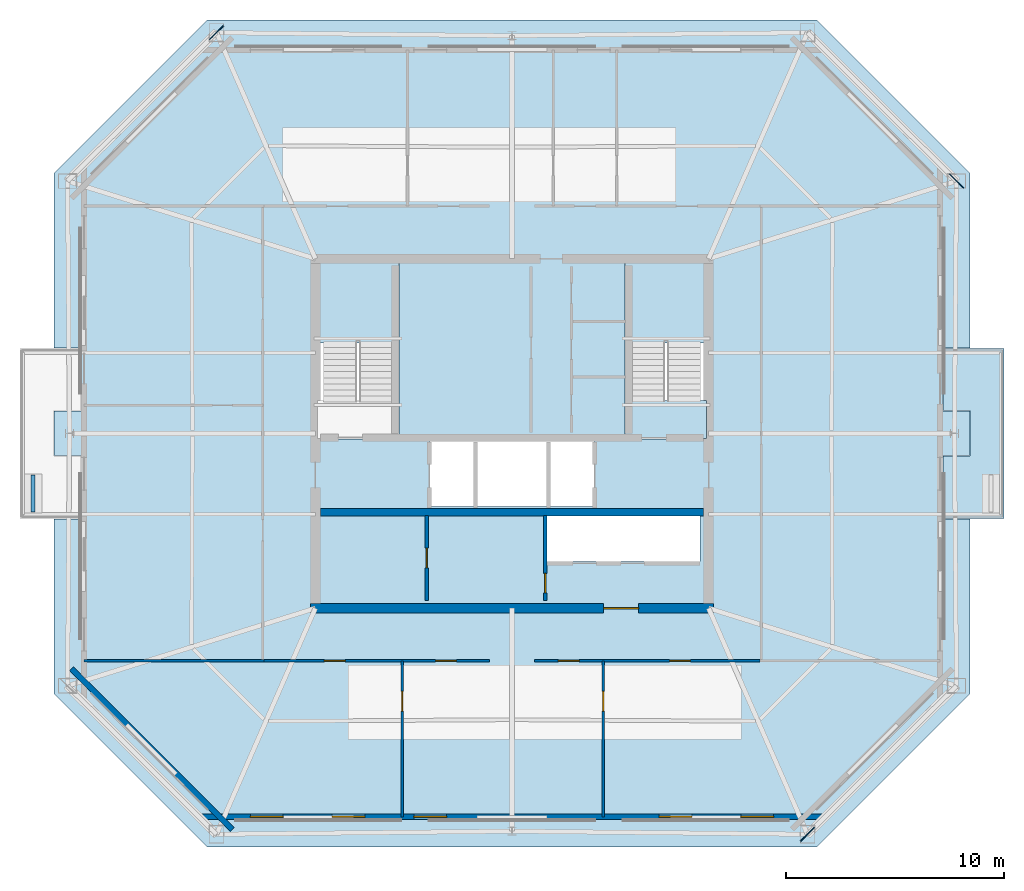
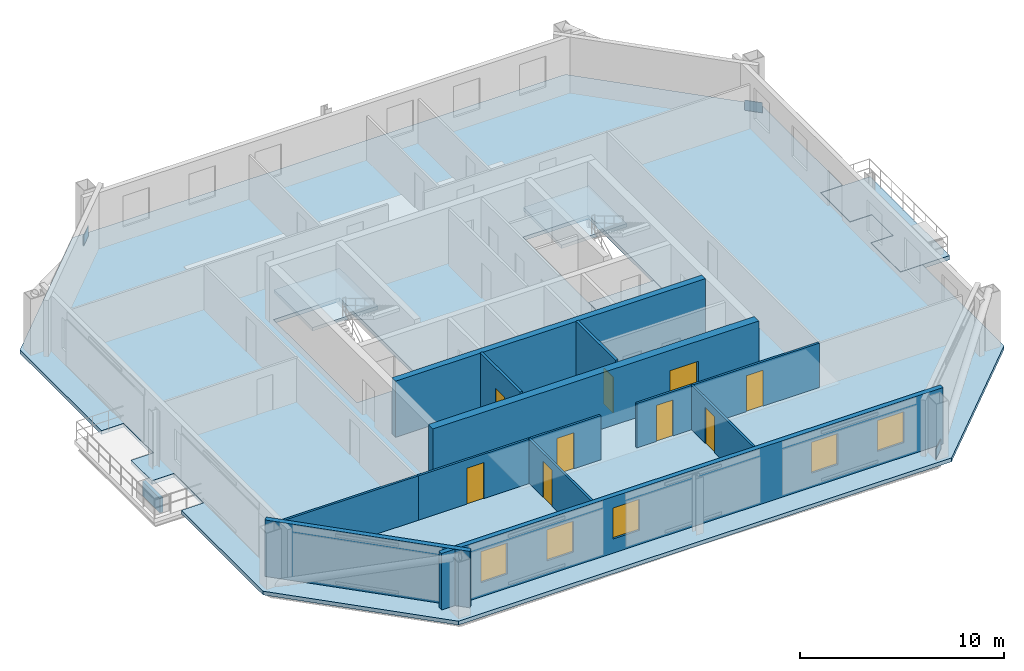
# One storey, part 2 of 7: 12 walls, 9 doors, 5 slabs, 5 windows, 3 plates, 14 openings, 2 elements without a shape of their own.
"""IFC4 building model written with IfcOpenShell, lengths in metres."""

import ifcopenshell
import ifcopenshell.guid

model = None  # the IFC model being written
_history = None  # IfcOwnerHistory: only IFC2X3 demands one
_inside = {}  # id of a spatial element -> (the spatial element, [elements in it])
_under = {}  # id of a project, library or spatial element -> (it, [spatial elements below it])
_declared = {}  # id of a project -> (the project, [libraries it declares])
_typed = {}  # id of a type object -> (the type object, [elements of that type])
_made_of = {}  # id of a material, layer set ... -> (it, [elements and type objects made of it])


def new_model(schema):
    """Start an empty IFC model of exactly this schema.

    Asked for "IFC4X3", IfcOpenShell would pick the latest addendum, in which some entities
    have other attributes; the version numbers below select the first issue.
    IFC2X3 requires an IfcOwnerHistory on every rooted entity: one is made here for all.
    """
    global model, _history
    if schema == "IFC4X3":
        model = ifcopenshell.file(schema_version=(4, 3, 0, 0))
    else:
        model = ifcopenshell.file(schema=schema)
    _inside.clear()
    _under.clear()
    _declared.clear()
    _typed.clear()
    _made_of.clear()
    _history = None
    if model.schema == "IFC2X3":
        org = make("IfcOrganization", Name="unknown")
        user = make(
            "IfcPersonAndOrganization",
            ThePerson=make("IfcPerson", FamilyName="unknown"),
            TheOrganization=org,
        )
        app = make(
            "IfcApplication",
            ApplicationDeveloper=org,
            Version="unknown",
            ApplicationFullName="unknown",
            ApplicationIdentifier="unknown",
        )
        _history = make(
            "IfcOwnerHistory",
            OwningUser=user,
            OwningApplication=app,
            ChangeAction="ADDED",
            CreationDate=0,
        )
    return model


def make(cls, **values):
    """One entity of the class cls with the attributes given. An attribute that is None is left unset."""
    return model.create_entity(
        cls, **{name: value for name, value in values.items() if value is not None}
    )


def rooted(cls, **values):
    """An entity with a GlobalId (a new one), such as an element, a storey or a relation."""
    return make(cls, GlobalId=ifcopenshell.guid.new(), OwnerHistory=_history, **values)


def si_unit(unit_type, name, prefix=None):
    """IfcSIUnit, for example si_unit("LENGTHUNIT", "METRE", prefix="MILLI")."""
    return make("IfcSIUnit", UnitType=unit_type, Prefix=prefix, Name=name)


def assignment(units):
    """IfcUnitAssignment: the units of a project."""
    return None if units is None else make("IfcUnitAssignment", Units=units)


def point(xyz):
    """IfcCartesianPoint."""
    return None if xyz is None else make("IfcCartesianPoint", Coordinates=xyz)


def direction(xyz):
    """IfcDirection."""
    return None if xyz is None else make("IfcDirection", DirectionRatios=xyz)


def frame(location, z_axis=None, x_axis=None):
    """IfcAxis2Placement3D, a coordinate frame: its origin and axes. An axis left out is left unset."""
    return make(
        "IfcAxis2Placement3D",
        Location=point(location),
        Axis=direction(z_axis),
        RefDirection=direction(x_axis),
    )


def frame_2d(location, x_axis=None):
    """IfcAxis2Placement2D, a coordinate frame in the plane: its origin and x axis."""
    return make(
        "IfcAxis2Placement2D", Location=point(location), RefDirection=direction(x_axis)
    )


def origin():
    """The frame at (0, 0, 0) with its axes left unset."""
    return frame((0.0, 0.0, 0.0))


def origin_2d():
    """The frame at (0, 0) in the plane with its x axis left unset."""
    return frame_2d((0.0, 0.0))


def place(relative_to, where):
    """IfcLocalPlacement: puts the frame where relative to a parent placement (None: the world)."""
    return make(
        "IfcLocalPlacement", PlacementRelTo=relative_to, RelativePlacement=where
    )


def context(
    kind, dimensions, precision=None, world=None, true_north=None, identifier=None
):
    """IfcGeometricRepresentationContext, for example the 3D "Model" context."""
    return make(
        "IfcGeometricRepresentationContext",
        ContextIdentifier=identifier,
        ContextType=kind,
        CoordinateSpaceDimension=dimensions,
        Precision=precision,
        WorldCoordinateSystem=world,
        TrueNorth=true_north,
    )


def subcontext(parent, identifier, kind, view, scale=None):
    """IfcGeometricRepresentationSubContext, for example "Body" below "Model"."""
    return make(
        "IfcGeometricRepresentationSubContext",
        ContextIdentifier=identifier,
        ContextType=kind,
        ParentContext=parent,
        TargetScale=scale,
        TargetView=view,
    )


def project(units=None, contexts=None):
    """IfcProject with its units and contexts."""
    return rooted(
        "IfcProject",
        Name="project",
        RepresentationContexts=contexts,
        UnitsInContext=assignment(units),
    )


def spatial(cls, under=None, at=None, **own):
    """A site, building, storey or space (cls), placed at a placement, below another one or the project."""
    s = rooted(cls, ObjectPlacement=at, **own)
    if under is not None:
        _under.setdefault(under.id(), (under, []))[1].append(s)
    return s


def polyline(points):
    """IfcPolyline through the points."""
    return make("IfcPolyline", Points=[point(p) for p in points])


def profile(cls, at=None, kind="AREA", **sizes):
    """A parametric profile (cls). Its sizes go by their IFC names, for example OverallWidth=200.0."""
    return make(cls, ProfileType=kind, Position=at, **sizes)


def rectangle(**sizes):
    """IfcRectangleProfileDef."""
    return profile("IfcRectangleProfileDef", **sizes)


def outline(outer, holes=None, kind="AREA"):
    """IfcArbitraryClosedProfileDef: a profile drawn as a closed curve; with holes, ...WithVoids."""
    if holes is None:
        return make("IfcArbitraryClosedProfileDef", ProfileType=kind, OuterCurve=outer)
    return make(
        "IfcArbitraryProfileDefWithVoids",
        ProfileType=kind,
        OuterCurve=outer,
        InnerCurves=holes,
    )


def extrude(swept, where, along, depth):
    """IfcExtrudedAreaSolid: the profile swept, set in the frame where, extruded along a direction by depth."""
    return make(
        "IfcExtrudedAreaSolid",
        SweptArea=swept,
        Position=where,
        ExtrudedDirection=direction(along),
        Depth=depth,
    )


def shape(context_of_items, identifier, shape_type, items):
    """IfcShapeRepresentation: the items that make up one representation, for example the "Body"."""
    return make(
        "IfcShapeRepresentation",
        ContextOfItems=context_of_items,
        RepresentationIdentifier=identifier,
        RepresentationType=shape_type,
        Items=items,
    )


def material(Name=None, Category=None):
    """IfcMaterial."""
    return make("IfcMaterial", Name=Name, Category=Category)


def layer(
    of_material, thickness, ventilated=None, Name=None, Category=None, Priority=None
):
    """IfcMaterialLayer: one layer of a wall or slab, of a material (None: an air gap)."""
    return make(
        "IfcMaterialLayer",
        Material=of_material,
        LayerThickness=thickness,
        IsVentilated=ventilated,
        Name=Name,
        Category=Category,
        Priority=Priority,
    )


def layer_set(layers, Name=None):
    """IfcMaterialLayerSet."""
    return make("IfcMaterialLayerSet", MaterialLayers=layers, LayerSetName=Name)


def made_of(thing, what):
    """Note that an element or type object is made of a material, layer set ...; save() writes the relation."""
    if what is not None:
        _made_of.setdefault(what.id(), (what, []))[1].append(thing)
    return thing


def type_object(cls, material=None, **own):
    """A type object (cls), such as IfcWallType, which elements share."""
    return made_of(rooted(cls, **own), material)


def element(
    cls,
    number,
    at=None,
    inside=None,
    cuts=None,
    type_object=None,
    material=None,
    context=None,
    identifier="Body",
    shape_type=None,
    held_by="IfcProductDefinitionShape",
    body=None,
    shapes=None,
    **own,
):
    """One element of the class cls, such as IfcWall. Its Tag is "e" and its number.

    at: its placement. inside: the storey or other place that contains it. cuts: it is an
    opening in that element (IfcRelVoidsElement). A single representation is given by context,
    identifier, shape_type and body (its items); several are given by shapes. held_by: the class
    of the entity that holds the representations. save() writes the other relations.
    """
    e = rooted(cls, Tag="e%d" % number, ObjectPlacement=at, **own)
    if body is not None:
        shapes = [shape(context, identifier, shape_type, body)]
    if shapes is not None:
        e.Representation = make(held_by, Representations=shapes)
    if inside is not None:
        _inside.setdefault(inside.id(), (inside, []))[1].append(e)
    if cuts is not None:
        rooted(
            "IfcRelVoidsElement", RelatingBuildingElement=cuts, RelatedOpeningElement=e
        )
    if type_object is not None:
        _typed.setdefault(type_object.id(), (type_object, []))[1].append(e)
    return made_of(e, material)


def fill(opening, filler):
    """IfcRelFillsElement: the door or window that sits in an opening."""
    return rooted(
        "IfcRelFillsElement",
        RelatingOpeningElement=opening,
        RelatedBuildingElement=filler,
    )


def aggregate(whole, parts):
    """IfcRelAggregates: a whole, such as a stair, and the parts it consists of."""
    return rooted("IfcRelAggregates", RelatingObject=whole, RelatedObjects=parts)


def save(model, path):
    """Write the relations noted so far, then the file.

    IfcRelAggregates (storeys below a building ...), IfcRelContainedInSpatialStructure (elements
    in a storey), IfcRelDefinesByType, IfcRelAssociatesMaterial and IfcRelDeclares: one each for
    every whole, place, type object, material and project.
    """
    for whole, parts in _under.values():
        aggregate(whole, parts)
    for where, things in _inside.values():
        rooted(
            "IfcRelContainedInSpatialStructure",
            RelatedElements=things,
            RelatingStructure=where,
        )
    for kind, things in _typed.values():
        rooted("IfcRelDefinesByType", RelatedObjects=things, RelatingType=kind)
    for what, things in _made_of.values():
        rooted("IfcRelAssociatesMaterial", RelatedObjects=things, RelatingMaterial=what)
    for by, libraries in _declared.values():
        rooted("IfcRelDeclares", RelatingContext=by, RelatedDefinitions=libraries)
    model.write(path)


model = new_model("IFC4")

# Units and contexts
model_context = context("Model", 3, precision=1e-05, world=origin(), true_north=direction((0.0, 1.0)))
body_context = subcontext(model_context, "Body", "Model", "MODEL_VIEW")
ifc_project = project(units=[si_unit("LENGTHUNIT", "METRE"), si_unit("AREAUNIT", "SQUARE_METRE"), si_unit("VOLUMEUNIT", "CUBIC_METRE"), si_unit("PLANEANGLEUNIT", "RADIAN"), si_unit("MASSUNIT", "GRAM", prefix="KILO")], contexts=[model_context])

# Site, building, storey
site_placement = place(None, origin())
site = spatial("IfcSite", under=ifc_project, at=site_placement, CompositionType="ELEMENT")
building_placement = place(site_placement, origin())
building = spatial("IfcBuilding", under=site, at=building_placement, Name="Caelvoria Tower", CompositionType="ELEMENT")
storey_placement = place(building_placement, frame((0.0, 0.0, 220.199951171875)))
storey = spatial("IfcBuildingStorey", under=building, at=storey_placement, Name="L58", CompositionType="ELEMENT", Elevation=220.199951171875)

# Plates
ifc_material_1 = material(Name="Structural Steel ASTM A572 Gr.50", Category="steel")
ifc_layer_1 = layer(ifc_material_1, 0.0400390625, Name="Structural Steel ASTM A572 Gr.50")
ifc_layer_set_1 = layer_set([ifc_layer_1], Name="Megaframe Node Gusset Plate 900x600x40 - Structural Steel ASTM A572 Gr.50")
plate_type = type_object("IfcPlateType", Name="Megaframe Node Gusset Plate 900x600x40", PredefinedType="USERDEFINED", material=ifc_layer_set_1)
for number, where, z_axis, x_axis, name in (
    (1, (59.527099609375, 13.652099609375, 0.02001953125), (0.0, 0.0, 1.0), (0.708414984386, 0.705796153218, 0.0), "Chamfer Mega Brace Gusset L58 SE"),
    (2, (66.3466796875, 43.5537109375, 0.02001953125), (0.0, 0.0, 1.0), (-0.708414984386, 0.705796153218, 0.0), "Chamfer Mega Brace Gusset L58 NE"),
    (3, (32.472900390625, 50.347900390625, 0.02001953125), (0.0, 0.0, 1.0), (-0.708414984386, -0.705796153218, 0.0), "Chamfer Mega Brace Gusset L58 NW"),
):
    element("IfcPlate", number, at=place(storey_placement, frame(where, z_axis=z_axis, x_axis=x_axis)), inside=storey, type_object=plate_type, Name=name, ObjectType="GUSSET_PLATE", PredefinedType="USERDEFINED", context=body_context, shape_type="SweptSolid", body=[
        extrude(rectangle(XDim=0.89990234375, YDim=0.0400390625, at=origin_2d()), origin(), (0.0, 0.0, 1.0), 0.60009765625),
    ])

# Stair, slab
ifc_material_2 = material(Name="Concrete C40/50", Category="concrete")
stair_type = type_object("IfcStairType", Name="Core Smokeproof Dogleg Stair Concrete C40/50", PredefinedType="HALF_TURN_STAIR", material=ifc_material_2)
stair_1_placement = place(storey_placement, origin())
stair_1 = element("IfcStair", 4, at=stair_1_placement, inside=storey, type_object=stair_type, Name="ST-01 Smokeproof Exit Stair L58", PredefinedType="HALF_TURN_STAIR")
ifc_layer_2 = layer(ifc_material_2, 0.199951171875, Name="Concrete C40/50")
ifc_layer_set_2 = layer_set([ifc_layer_2], Name="Stair Half and Floor Landing Slab 200 Concrete C40/50 - Concrete C40/50")
slab_type_1 = type_object("IfcSlabType", Name="Stair Half and Floor Landing Slab 200 Concrete C40/50", PredefinedType="LANDING", material=ifc_layer_set_2)
slab_1_placement = place(storey_placement, frame((0.0, 0.0, 1.60009765625)))
slab_1 = element("IfcSlab", 5, at=slab_1_placement, type_object=slab_type_1, Name="ST-01 landing 2", PredefinedType="LANDING", context=body_context, shape_type="SweptSolid", body=[
    extrude(outline(polyline([(37.10009765625, 36.14990234375), (40.800048828125, 36.14990234375), (40.800048828125, 39.89990234375), (37.10009765625, 39.89990234375), (37.10009765625, 36.14990234375)])), origin(), (0.0, 0.0, 1.0), 0.199951171875),
])
aggregate(stair_1, [slab_1])

# Stair, slabs
stair_2_placement = place(storey_placement, origin())
stair_2 = element("IfcStair", 6, at=stair_2_placement, inside=storey, type_object=stair_type, Name="ST-02 Smokeproof Exit Stair L58", PredefinedType="HALF_TURN_STAIR")
slab_2_placement = place(storey_placement, frame((0.0, 0.0, -0.199951171875)))
slab_2 = element("IfcSlab", 7, at=slab_2_placement, type_object=slab_type_1, Name="ST-02 landing 1", PredefinedType="LANDING", context=body_context, shape_type="SweptSolid", body=[
    extrude(outline(polyline([(51.199951171875, 31.77001953125), (54.89990234375, 31.77001953125), (54.89990234375, 33.5), (51.199951171875, 33.5), (51.199951171875, 31.77001953125)])), origin(), (0.0, 0.0, 1.0), 0.199951171875),
])
slab_3_placement = place(storey_placement, frame((0.0, 0.0, 1.60009765625)))
slab_3 = element("IfcSlab", 8, at=slab_3_placement, type_object=slab_type_1, Name="ST-02 landing 2", PredefinedType="LANDING", context=body_context, shape_type="SweptSolid", body=[
    extrude(outline(polyline([(51.199951171875, 36.14990234375), (54.89990234375, 36.14990234375), (54.89990234375, 39.89990234375), (51.199951171875, 39.89990234375), (51.199951171875, 36.14990234375)])), origin(), (0.0, 0.0, 1.0), 0.199951171875),
])
aggregate(stair_2, [slab_2, slab_3])

# Slabs
ifc_material_3 = material(Name="Concrete C45/55", Category="concrete")
ifc_layer_3 = layer(ifc_material_3, 0.25, Name="Concrete C45/55")
ifc_layer_set_3 = layer_set([ifc_layer_3], Name="Tree Balcony Structural Planter Slab 250 - Concrete C45/55")
slab_type_2 = type_object("IfcSlabType", Name="Tree Balcony Structural Planter Slab 250", PredefinedType="FLOOR", material=ifc_layer_set_3)
slab_4_placement = place(storey_placement, frame((0.0, 0.0, -0.25)))
element("IfcSlab", 9, at=slab_4_placement, inside=storey, type_object=slab_type_2, Name="Tree Balcony Slab TB-L58-E", PredefinedType="FLOOR", context=body_context, shape_type="SweptSolid", body=[
    extrude(outline(polyline([(66.97265625, 35.89990234375), (65.732666015625, 35.89990234375), (65.732666015625, 33.0400390625), (66.97265625, 33.0400390625), (66.97265625, 30.9599609375), (65.732666015625, 30.9599609375), (65.732666015625, 28.10009765625), (66.97265625, 28.10009765625), (68.522705078125, 28.10009765625), (68.522705078125, 35.89990234375), (66.97265625, 35.89990234375)])), origin(), (0.0, 0.0, 1.0), 0.25),
])
ifc_layer_4 = layer(ifc_material_2, 0.22509765625, Name="Concrete C40/50")
ifc_layer_set_4 = layer_set([ifc_layer_4], Name="Upper Tower Composite Office Slab 225 - Concrete C40/50")
slab_type_3 = type_object("IfcSlabType", Name="Upper Tower Composite Office Slab 225", PredefinedType="FLOOR", material=ifc_layer_set_4)
slab_5_placement = place(storey_placement, frame((0.0, 0.0, -0.224853515625)))
element("IfcSlab", 10, at=slab_5_placement, inside=storey, type_object=slab_type_3, Name="Level L58 Structural Floor Slab", PredefinedType="FLOOR", context=body_context, shape_type="SweptSolid", body=[
    extrude(outline(polyline([(59.95458984375, 50.92724609375), (32.04541015625, 50.92724609375), (25.02734375, 43.9091796875), (25.02734375, 35.919921875), (26.287353515625, 35.919921875), (26.287353515625, 33.02001953125), (25.02734375, 33.02001953125), (25.02734375, 30.97998046875), (26.287353515625, 30.97998046875), (26.287353515625, 28.080078125), (25.02734375, 28.080078125), (25.02734375, 20.0908203125), (32.04541015625, 13.07275390625), (59.95458984375, 13.07275390625), (66.97265625, 20.0908203125), (66.97265625, 28.080078125), (65.712646484375, 28.080078125), (65.712646484375, 30.97998046875), (66.97265625, 30.97998046875), (66.97265625, 33.02001953125), (65.712646484375, 33.02001953125), (65.712646484375, 35.919921875), (66.97265625, 35.919921875), (66.97265625, 43.9091796875), (59.95458984375, 50.92724609375)]), holes=[polyline([(37.080078125, 31.75), (40.820068359375, 31.75), (40.820068359375, 39.919921875), (37.080078125, 39.919921875), (37.080078125, 31.75)]), polyline([(51.179931640625, 31.75), (54.919921875, 31.75), (54.919921875, 39.919921875), (51.179931640625, 39.919921875), (51.179931640625, 31.75)]), polyline([(42.25, 28.64990234375), (49.75, 28.64990234375), (49.75, 31.800048828125), (42.25, 31.800048828125), (42.25, 28.64990234375)]), polyline([(47.60009765625, 26.14990234375), (54.60009765625, 26.14990234375), (54.60009765625, 28.25), (47.60009765625, 28.25), (47.60009765625, 26.14990234375)])]), origin(), (0.0, 0.0, 1.0), 0.224853515625),
])

# Walls
ifc_material_4 = material(Name="Bronze-Clad Concrete C40/50", Category="concrete")
ifc_layer_5 = layer(ifc_material_4, 0.179931640625, Name="Bronze-Clad Concrete C40/50")
ifc_layer_set_5 = layer_set([ifc_layer_5], Name="Architectural Planter Kerb Wall 180 - Bronze-Clad Concrete C40/50")
wall_type_1 = type_object("IfcWallType", Name="Architectural Planter Kerb Wall 180", PredefinedType="PARAPET", material=ifc_layer_set_5)
wall_1_placement = place(storey_placement, frame((24.077392578125, 28.39990234375, 0.0), z_axis=(0.0, 0.0, 1.0), x_axis=(0.0, 1.0, 0.0)))
element("IfcWall", 11, at=wall_1_placement, inside=storey, type_object=wall_type_1, Name="Tree Balcony Planter Kerb PLANTER TB-L58-W", PredefinedType="PARAPET", context=body_context, shape_type="SweptSolid", body=[
    extrude(rectangle(XDim=1.7001953125, YDim=0.179931640625, at=frame_2d((0.85009765625, 0.0))), origin(), (0.0, 0.0, 1.0), 0.880126953125),
])
ifc_material_5 = material(Name="Concrete C50/60", Category="concrete")
ifc_layer_6 = layer(ifc_material_5, 0.35009765625, Name="Concrete C50/60")
ifc_layer_set_6 = layer_set([ifc_layer_6], Name="Core Internal Shear Wall 350 - Concrete C50/60")
wall_type_2 = type_object("IfcWallType", Name="Core Internal Shear Wall 350", PredefinedType="SHEAR", material=ifc_layer_set_6)
wall_2_placement = place(storey_placement, frame((37.22509765625, 28.39990234375, 0.0), z_axis=(0.0, 0.0, 1.0), x_axis=(1.0, 0.0, 0.0)))
element("IfcWall", 12, at=wall_2_placement, inside=storey, type_object=wall_type_2, Name="Core Shear Wall L58 M2", PredefinedType="SHEAR", context=body_context, shape_type="SweptSolid", body=[
    extrude(rectangle(XDim=17.5498046875, YDim=0.35009765625, at=frame_2d((8.77490234375, 0.0))), origin(), (0.0, 0.0, 1.0), 3.360107421875),
])

# Wall, opening, door
ifc_material_6 = material(Name="Double Gypsum Board on Steel Stud", Category="steel")
ifc_layer_7 = layer(ifc_material_6, 0.14990234375, Name="Double Gypsum Board on Steel Stud")
ifc_layer_set_7 = layer_set([ifc_layer_7], Name="Core Service Acoustic Partition Wall 150 - Double Gypsum Board on Steel Stud")
wall_type_3 = type_object("IfcWallType", Name="Core Service Acoustic Partition Wall 150", PredefinedType="PARTITIONING", material=ifc_layer_set_7)
wall_3_placement = place(storey_placement, frame((42.10009765625, 24.35009765625, 0.0), z_axis=(0.0, 0.0, 1.0), x_axis=(0.0, 1.0, 0.0)))
wall_3 = element("IfcWall", 13, at=wall_3_placement, inside=storey, type_object=wall_type_3, Name="Interior Partition IW-L58-RECL-MID", PredefinedType="PARTITIONING", context=body_context, shape_type="SweptSolid", body=[
    extrude(rectangle(XDim=3.89990234375, YDim=0.14990234375, at=frame_2d((1.949951171875, 0.0))), origin(), (0.0, 0.0, 1.0), 3.375),
])
opening_1_placement = place(wall_3_placement, frame((1.5, 0.0, 0.0)))
opening_1 = element("IfcOpeningElement", 14, at=opening_1_placement, cuts=wall_3, Name="Opening ID-06", PredefinedType="OPENING", context=body_context, shape_type="SweptSolid", body=[
    extrude(rectangle(XDim=0.89990234375, YDim=2.14990234375, at=frame_2d((0.449951171875, 1.074951171875))), frame((0.0, 0.0849609375, 0.0), z_axis=(0.0, -1.0, 0.0), x_axis=(1.0, 0.0, 0.0)), (0.0, 0.0, 1.0), 0.169921875),
])
ifc_material_7 = material(Name="Engineered Andean Oak Veneer Door", Category="wood")
door_type_1 = type_object("IfcDoorType", Name="Interior Timber Door 900x2150", OperationType="NOTDEFINED", PredefinedType="DOOR", material=ifc_material_7)
door_1_placement = place(opening_1_placement, origin())
door_1 = element("IfcDoor", 15, at=door_1_placement, inside=storey, type_object=door_type_1, Name="Interior Door DR-L58-RECL12", OperationType="SINGLE_SWING_LEFT", OverallHeight=2.14990234375, OverallWidth=0.89990234375, PredefinedType="DOOR", context=body_context, shape_type="SweptSolid", body=[
    extrude(rectangle(XDim=0.89990234375, YDim=2.14990234375, at=frame_2d((0.449951171875, 1.074951171875))), frame((0.0, 0.02490234375, 0.0), z_axis=(0.0, -1.0, 0.0), x_axis=(1.0, 0.0, 0.0)), (0.0, 0.0, 1.0), 0.050048828125),
])
fill(opening_1, door_1)

wall_4_placement = place(storey_placement, frame((47.52001953125, 24.35009765625, 0.0), z_axis=(0.0, 0.0, 1.0), x_axis=(0.0, 1.0, 0.0)))
wall_4 = element("IfcWall", 16, at=wall_4_placement, inside=storey, type_object=wall_type_3, Name="Interior Partition IW-L58-RECL2E", PredefinedType="PARTITIONING", context=body_context, shape_type="SweptSolid", body=[
    extrude(rectangle(XDim=3.89990234375, YDim=0.14990234375, at=frame_2d((1.949951171875, 0.0))), origin(), (0.0, 0.0, 1.0), 3.375),
])
opening_2_placement = place(wall_4_placement, frame((0.35009765625, 0.0, 0.0)))
opening_2 = element("IfcOpeningElement", 17, at=opening_2_placement, cuts=wall_4, Name="Opening ID-04", PredefinedType="OPENING", context=body_context, shape_type="SweptSolid", body=[
    extrude(rectangle(XDim=0.89990234375, YDim=2.14990234375, at=frame_2d((0.449951171875, 1.074951171875))), frame((0.0, 0.0849609375, 0.0), z_axis=(0.0, -1.0, 0.0), x_axis=(1.0, 0.0, 0.0)), (0.0, 0.0, 1.0), 0.169921875),
])
ifc_material_8 = material(Name="Acoustic Timber Fire Door", Category="wood")
door_type_2 = type_object("IfcDoorType", Name="Fire Door FD30S 900x2150", OperationType="NOTDEFINED", PredefinedType="DOOR", material=ifc_material_8)
door_2_placement = place(opening_2_placement, origin())
door_2 = element("IfcDoor", 18, at=door_2_placement, inside=storey, type_object=door_type_2, Name="Interior Door DR-L58-RECL2", OperationType="SINGLE_SWING_RIGHT", OverallHeight=2.14990234375, OverallWidth=0.89990234375, PredefinedType="DOOR", context=body_context, shape_type="SweptSolid", body=[
    extrude(rectangle(XDim=0.89990234375, YDim=2.14990234375, at=frame_2d((0.449951171875, 1.074951171875))), frame((0.0, 0.02490234375, 0.0), z_axis=(0.0, -1.0, 0.0), x_axis=(1.0, 0.0, 0.0)), (0.0, 0.0, 1.0), 0.050048828125),
])
fill(opening_2, door_2)

ifc_material_9 = material(Name="Acoustic Gypsum Board on Light-Gauge Stud", Category="gypsum")
ifc_layer_8 = layer(ifc_material_9, 0.1201171875, Name="Acoustic Gypsum Board on Light-Gauge Stud")
ifc_layer_set_8 = layer_set([ifc_layer_8], Name="Tenant Suite Acoustic Partition Wall 120 - Acoustic Gypsum Board on Light-Gauge Stud")
wall_type_4 = type_object("IfcWallType", Name="Tenant Suite Acoustic Partition Wall 120", PredefinedType="PARTITIONING", material=ifc_layer_set_8)
wall_5_placement = place(storey_placement, frame((40.98388671875, 21.590087890625, 0.0), z_axis=(0.0, 0.0, 1.0), x_axis=(0.0, -1.0, 0.0)))
wall_5 = element("IfcWall", 19, at=wall_5_placement, inside=storey, type_object=wall_type_4, Name="Interior Partition IW-L58-SD-00-0", PredefinedType="PARTITIONING", context=body_context, shape_type="SweptSolid", body=[
    extrude(rectangle(XDim=7.137451171875, YDim=0.1201171875, at=frame_2d((3.56884765625, 0.0))), origin(), (0.0, 0.0, 1.0), 2.655029296875),
])
opening_3_placement = place(wall_5_placement, frame((1.39990234375, 0.0, 0.0)))
opening_3 = element("IfcOpeningElement", 20, at=opening_3_placement, cuts=wall_5, Name="Opening ID-06", PredefinedType="OPENING", context=body_context, shape_type="SweptSolid", body=[
    extrude(rectangle(XDim=0.89990234375, YDim=2.14990234375, at=frame_2d((0.449951171875, 1.074951171875))), frame((0.0, 0.070068359375, 0.0), z_axis=(0.0, -1.0, 0.0), x_axis=(1.0, 0.0, 0.0)), (0.0, 0.0, 1.0), 0.14013671875),
])
door_3_placement = place(opening_3_placement, origin())
door_3 = element("IfcDoor", 21, at=door_3_placement, inside=storey, type_object=door_type_1, Name="Interior Door DR-L58-SM-00-0", OperationType="SINGLE_SWING_RIGHT", OverallHeight=2.14990234375, OverallWidth=0.89990234375, PredefinedType="DOOR", context=body_context, shape_type="SweptSolid", body=[
    extrude(rectangle(XDim=0.89990234375, YDim=2.14990234375, at=frame_2d((0.449951171875, 1.074951171875))), frame((0.0, 0.02490234375, 0.0), z_axis=(0.0, -1.0, 0.0), x_axis=(1.0, 0.0, 0.0)), (0.0, 0.0, 1.0), 0.050048828125),
])
fill(opening_3, door_3)

wall_6_placement = place(storey_placement, frame((50.177490234375, 21.590087890625, 0.0), z_axis=(0.0, 0.0, 1.0), x_axis=(0.0, -1.0, 0.0)))
wall_6 = element("IfcWall", 22, at=wall_6_placement, inside=storey, type_object=wall_type_4, Name="Interior Partition IW-L58-SD-01-0", PredefinedType="PARTITIONING", context=body_context, shape_type="SweptSolid", body=[
    extrude(rectangle(XDim=7.137451171875, YDim=0.1201171875, at=frame_2d((3.56884765625, 0.0))), origin(), (0.0, 0.0, 1.0), 2.655029296875),
])
opening_4_placement = place(wall_6_placement, frame((1.39990234375, 0.0, 0.0)))
opening_4 = element("IfcOpeningElement", 23, at=opening_4_placement, cuts=wall_6, Name="Opening ID-06", PredefinedType="OPENING", context=body_context, shape_type="SweptSolid", body=[
    extrude(rectangle(XDim=0.89990234375, YDim=2.14990234375, at=frame_2d((0.449951171875, 1.074951171875))), frame((0.0, 0.070068359375, 0.0), z_axis=(0.0, -1.0, 0.0), x_axis=(1.0, 0.0, 0.0)), (0.0, 0.0, 1.0), 0.14013671875),
])
door_4_placement = place(opening_4_placement, origin())
door_4 = element("IfcDoor", 24, at=door_4_placement, inside=storey, type_object=door_type_1, Name="Interior Door DR-L58-SM-01-0", OperationType="SINGLE_SWING_LEFT", OverallHeight=2.14990234375, OverallWidth=0.89990234375, PredefinedType="DOOR", context=body_context, shape_type="SweptSolid", body=[
    extrude(rectangle(XDim=0.89990234375, YDim=2.14990234375, at=frame_2d((0.449951171875, 1.074951171875))), frame((0.0, 0.02490234375, 0.0), z_axis=(0.0, -1.0, 0.0), x_axis=(1.0, 0.0, 0.0)), (0.0, 0.0, 1.0), 0.050048828125),
])
fill(opening_4, door_4)

# Wall, openings, doors
wall_7_placement = place(storey_placement, frame((34.64990234375, 21.590087890625, 0.0), z_axis=(0.0, 0.0, 1.0), x_axis=(1.0, 0.0, 0.0)))
wall_7 = element("IfcWall", 25, at=wall_7_placement, inside=storey, type_object=wall_type_4, Name="Interior Partition IW-L58-SCW-0", PredefinedType="PARTITIONING", context=body_context, shape_type="SweptSolid", body=[
    extrude(rectangle(XDim=10.330078125, YDim=0.1201171875, at=frame_2d((5.1650390625, 0.0))), origin(), (0.0, 0.0, 1.0), 2.655029296875),
])
opening_5_placement = place(wall_7_placement, frame((2.761962890625, 0.0, 0.0)))
opening_5 = element("IfcOpeningElement", 26, at=opening_5_placement, cuts=wall_7, Name="Opening ID-05", PredefinedType="OPENING", context=body_context, shape_type="SweptSolid", body=[
    extrude(rectangle(XDim=0.949951171875, YDim=2.14990234375, at=frame_2d((0.47509765625, 1.074951171875))), frame((0.0, 0.070068359375, 0.0), z_axis=(0.0, -1.0, 0.0), x_axis=(1.0, 0.0, 0.0)), (0.0, 0.0, 1.0), 0.14013671875),
])
opening_6_placement = place(wall_7_placement, frame((7.85693359375, 0.0, 0.0)))
opening_6 = element("IfcOpeningElement", 27, at=opening_6_placement, cuts=wall_7, Name="Opening ID-05", PredefinedType="OPENING", context=body_context, shape_type="SweptSolid", body=[
    extrude(rectangle(XDim=0.949951171875, YDim=2.14990234375, at=frame_2d((0.47509765625, 1.074951171875))), frame((0.0, 0.070068359375, 0.0), z_axis=(0.0, -1.0, 0.0), x_axis=(1.0, 0.0, 0.0)), (0.0, 0.0, 1.0), 0.14013671875),
])
door_type_3 = type_object("IfcDoorType", Name="Interior Timber Door 950x2150", OperationType="NOTDEFINED", PredefinedType="DOOR", material=ifc_material_7)
door_5_placement = place(opening_5_placement, origin())
door_5 = element("IfcDoor", 28, at=door_5_placement, inside=storey, type_object=door_type_3, Name="Interior Door DR-L58-SC-00-0", OperationType="SINGLE_SWING_LEFT", OverallHeight=2.14990234375, OverallWidth=0.949951171875, PredefinedType="DOOR", context=body_context, shape_type="SweptSolid", body=[
    extrude(rectangle(XDim=0.949951171875, YDim=2.14990234375, at=frame_2d((0.47509765625, 1.074951171875))), frame((0.0, 0.02490234375, 0.0), z_axis=(0.0, -1.0, 0.0), x_axis=(1.0, 0.0, 0.0)), (0.0, 0.0, 1.0), 0.050048828125),
])
fill(opening_5, door_5)
door_6_placement = place(opening_6_placement, origin())
door_6 = element("IfcDoor", 29, at=door_6_placement, inside=storey, type_object=door_type_3, Name="Interior Door DR-L58-SC-01-0", OperationType="SINGLE_SWING_RIGHT", OverallHeight=2.14990234375, OverallWidth=0.949951171875, PredefinedType="DOOR", context=body_context, shape_type="SweptSolid", body=[
    extrude(rectangle(XDim=0.949951171875, YDim=2.14990234375, at=frame_2d((0.47509765625, 1.074951171875))), frame((0.0, 0.02490234375, 0.0), z_axis=(0.0, -1.0, 0.0), x_axis=(1.0, 0.0, 0.0)), (0.0, 0.0, 1.0), 0.050048828125),
])
fill(opening_6, door_6)

wall_8_placement = place(storey_placement, frame((47.02001953125, 21.590087890625, 0.0), z_axis=(0.0, 0.0, 1.0), x_axis=(1.0, 0.0, 0.0)))
wall_8 = element("IfcWall", 30, at=wall_8_placement, inside=storey, type_object=wall_type_4, Name="Interior Partition IW-L58-SCW-1", PredefinedType="PARTITIONING", context=body_context, shape_type="SweptSolid", body=[
    extrude(rectangle(XDim=10.330078125, YDim=0.1201171875, at=frame_2d((5.1650390625, 0.0))), origin(), (0.0, 0.0, 1.0), 2.655029296875),
])
opening_7_placement = place(wall_8_placement, frame((1.103759765625, 0.0, 0.0)))
opening_7 = element("IfcOpeningElement", 31, at=opening_7_placement, cuts=wall_8, Name="Opening ID-05", PredefinedType="OPENING", context=body_context, shape_type="SweptSolid", body=[
    extrude(rectangle(XDim=0.949951171875, YDim=2.14990234375, at=frame_2d((0.47509765625, 1.074951171875))), frame((0.0, 0.070068359375, 0.0), z_axis=(0.0, -1.0, 0.0), x_axis=(1.0, 0.0, 0.0)), (0.0, 0.0, 1.0), 0.14013671875),
])
opening_8_placement = place(wall_8_placement, frame((6.19873046875, 0.0, 0.0)))
opening_8 = element("IfcOpeningElement", 32, at=opening_8_placement, cuts=wall_8, Name="Opening ID-05", PredefinedType="OPENING", context=body_context, shape_type="SweptSolid", body=[
    extrude(rectangle(XDim=0.949951171875, YDim=2.14990234375, at=frame_2d((0.47509765625, 1.074951171875))), frame((0.0, 0.070068359375, 0.0), z_axis=(0.0, -1.0, 0.0), x_axis=(1.0, 0.0, 0.0)), (0.0, 0.0, 1.0), 0.14013671875),
])
door_7_placement = place(opening_7_placement, origin())
door_7 = element("IfcDoor", 33, at=door_7_placement, inside=storey, type_object=door_type_3, Name="Interior Door DR-L58-SC-01-1", OperationType="SINGLE_SWING_LEFT", OverallHeight=2.14990234375, OverallWidth=0.949951171875, PredefinedType="DOOR", context=body_context, shape_type="SweptSolid", body=[
    extrude(rectangle(XDim=0.949951171875, YDim=2.14990234375, at=frame_2d((0.47509765625, 1.074951171875))), frame((0.0, 0.02490234375, 0.0), z_axis=(0.0, -1.0, 0.0), x_axis=(1.0, 0.0, 0.0)), (0.0, 0.0, 1.0), 0.050048828125),
])
fill(opening_7, door_7)
door_8_placement = place(opening_8_placement, origin())
door_8 = element("IfcDoor", 34, at=door_8_placement, inside=storey, type_object=door_type_3, Name="Interior Door DR-L58-SC-02-0", OperationType="SINGLE_SWING_LEFT", OverallHeight=2.14990234375, OverallWidth=0.949951171875, PredefinedType="DOOR", context=body_context, shape_type="SweptSolid", body=[
    extrude(rectangle(XDim=0.949951171875, YDim=2.14990234375, at=frame_2d((0.47509765625, 1.074951171875))), frame((0.0, 0.02490234375, 0.0), z_axis=(0.0, -1.0, 0.0), x_axis=(1.0, 0.0, 0.0)), (0.0, 0.0, 1.0), 0.050048828125),
])
fill(opening_8, door_8)

# Wall
wall_9_placement = place(storey_placement, frame((34.64990234375, 21.590087890625, 0.0), z_axis=(0.0, 0.0, 1.0), x_axis=(-1.0, 0.0, 0.0)))
element("IfcWall", 35, at=wall_9_placement, inside=storey, type_object=wall_type_4, Name="Interior Partition IW-L58-BSW-0", PredefinedType="PARTITIONING", context=body_context, shape_type="SweptSolid", body=[
    extrude(rectangle(XDim=8.24267578125, YDim=0.1201171875, at=frame_2d((4.121337890625, 0.0))), origin(), (0.0, 0.0, 1.0), 2.655029296875),
])

# Wall, opening, door
ifc_layer_9 = layer(ifc_material_5, 0.449951171875, Name="Concrete C50/60")
ifc_layer_set_9 = layer_set([ifc_layer_9], Name="Upper Core Shear Wall 450 - Concrete C50/60")
wall_type_5 = type_object("IfcWallType", Name="Upper Core Shear Wall 450", PredefinedType="SHEAR", material=ifc_layer_set_9)
wall_10_placement = place(storey_placement, frame((36.77490234375, 24.0, 0.0), z_axis=(0.0, 0.0, 1.0), x_axis=(1.0, 0.0, 0.0)))
wall_10 = element("IfcWall", 36, at=wall_10_placement, inside=storey, type_object=wall_type_5, Name="Core Shear Wall L58 S", PredefinedType="SHEAR", context=body_context, shape_type="SweptSolid", body=[
    extrude(rectangle(XDim=18.4501953125, YDim=0.449951171875, at=frame_2d((9.22509765625, 0.0))), origin(), (0.0, 0.0, 1.0), 3.360107421875),
])
opening_9_placement = place(wall_10_placement, frame((13.425048828125, 0.0, 0.0)))
opening_9 = element("IfcOpeningElement", 37, at=opening_9_placement, cuts=wall_10, Name="Opening ID-08", PredefinedType="OPENING", context=body_context, shape_type="SweptSolid", body=[
    extrude(rectangle(XDim=1.60009765625, YDim=2.14990234375, at=frame_2d((0.800048828125, 1.074951171875))), frame((0.0, 0.23486328125, 0.0), z_axis=(0.0, -1.0, 0.0), x_axis=(1.0, 0.0, 0.0)), (0.0, 0.0, 1.0), 0.469970703125),
])
ifc_material_10 = material(Name="Bronze-Framed Fire-Rated Glazed Double Door", Category="aluminium")
door_type_4 = type_object("IfcDoorType", Name="Double Lobby Glazed Door 1600x2200", OperationType="NOTDEFINED", PredefinedType="DOOR", material=ifc_material_10)
door_9_placement = place(opening_9_placement, origin())
door_9 = element("IfcDoor", 38, at=door_9_placement, inside=storey, type_object=door_type_4, Name="Core Door DR-L58-LLOB-S2", OperationType="DOUBLE_DOOR_SINGLE_SWING", OverallHeight=2.14990234375, OverallWidth=1.60009765625, PredefinedType="DOOR", context=body_context, shape_type="SweptSolid", body=[
    extrude(rectangle(XDim=1.60009765625, YDim=2.14990234375, at=frame_2d((0.800048828125, 1.074951171875))), frame((0.0, 0.02490234375, 0.0), z_axis=(0.0, -1.0, 0.0), x_axis=(1.0, 0.0, 0.0)), (0.0, 0.0, 1.0), 0.050048828125),
])
fill(opening_9, door_9)

# Wall, openings, windows
ifc_material_11 = material(Name="Precast Concrete C40/50 with Bronze Cladding", Category="concrete")
ifc_layer_10 = layer(ifc_material_11, 0.264892578125, Name="Precast Concrete C40/50 with Bronze Cladding")
ifc_layer_set_10 = layer_set([ifc_layer_10], Name="Upper Taper Precast Concrete C40/50 Bronze Facade Wall 265 - Precast Concrete C40/50 with Bronze Cladding")
wall_type_6 = type_object("IfcWallType", Name="Upper Taper Precast Concrete C40/50 Bronze Facade Wall 265", PredefinedType="STANDARD", material=ifc_layer_set_10)
wall_11_placement = place(storey_placement, frame((31.805419921875, 14.45263671875, 0.0), z_axis=(0.0, 0.0, 1.0), x_axis=(1.0, 0.0, 0.0)))
wall_11 = element("IfcWall", 39, at=wall_11_placement, inside=storey, type_object=wall_type_6, Name="Exterior Facade Wall L58-E0", PredefinedType="STANDARD", context=body_context, shape_type="SweptSolid", body=[
    extrude(rectangle(XDim=28.38916015625, YDim=0.264892578125, at=frame_2d((14.194580078125, 0.0))), origin(), (0.0, 0.0, 1.0), 3.375),
])
opening_10_placement = place(wall_11_placement, frame((2.220703125, 0.0, 0.85009765625)))
opening_10 = element("IfcOpeningElement", 40, at=opening_10_placement, cuts=wall_11, Name="Opening WN-03", PredefinedType="OPENING", context=body_context, shape_type="SweptSolid", body=[
    extrude(rectangle(XDim=1.5, YDim=1.85009765625, at=frame_2d((0.75, 0.925048828125))), frame((0.0, 0.142333984375, 0.0), z_axis=(0.0, -1.0, 0.0), x_axis=(1.0, 0.0, 0.0)), (0.0, 0.0, 1.0), 0.284912109375),
])
opening_11_placement = place(wall_11_placement, frame((5.9619140625, 0.0, 0.85009765625)))
opening_11 = element("IfcOpeningElement", 41, at=opening_11_placement, cuts=wall_11, Name="Opening WN-03", PredefinedType="OPENING", context=body_context, shape_type="SweptSolid", body=[
    extrude(rectangle(XDim=1.5, YDim=1.85009765625, at=frame_2d((0.75, 0.925048828125))), frame((0.0, 0.142333984375, 0.0), z_axis=(0.0, -1.0, 0.0), x_axis=(1.0, 0.0, 0.0)), (0.0, 0.0, 1.0), 0.284912109375),
])
opening_12_placement = place(wall_11_placement, frame((9.703125, 0.0, 0.85009765625)))
opening_12 = element("IfcOpeningElement", 42, at=opening_12_placement, cuts=wall_11, Name="Opening WN-03", PredefinedType="OPENING", context=body_context, shape_type="SweptSolid", body=[
    extrude(rectangle(XDim=1.5, YDim=1.85009765625, at=frame_2d((0.75, 0.925048828125))), frame((0.0, 0.142333984375, 0.0), z_axis=(0.0, -1.0, 0.0), x_axis=(1.0, 0.0, 0.0)), (0.0, 0.0, 1.0), 0.284912109375),
])
opening_13_placement = place(wall_11_placement, frame((20.927001953125, 0.0, 0.85009765625)))
opening_13 = element("IfcOpeningElement", 43, at=opening_13_placement, cuts=wall_11, Name="Opening WN-03", PredefinedType="OPENING", context=body_context, shape_type="SweptSolid", body=[
    extrude(rectangle(XDim=1.5, YDim=1.85009765625, at=frame_2d((0.75, 0.925048828125))), frame((0.0, 0.142333984375, 0.0), z_axis=(0.0, -1.0, 0.0), x_axis=(1.0, 0.0, 0.0)), (0.0, 0.0, 1.0), 0.284912109375),
])
opening_14_placement = place(wall_11_placement, frame((24.66845703125, 0.0, 0.85009765625)))
opening_14 = element("IfcOpeningElement", 44, at=opening_14_placement, cuts=wall_11, Name="Opening WN-03", PredefinedType="OPENING", context=body_context, shape_type="SweptSolid", body=[
    extrude(rectangle(XDim=1.5, YDim=1.85009765625, at=frame_2d((0.75, 0.925048828125))), frame((0.0, 0.142333984375, 0.0), z_axis=(0.0, -1.0, 0.0), x_axis=(1.0, 0.0, 0.0)), (0.0, 0.0, 1.0), 0.284912109375),
])
ifc_material_12 = material(Name="Low-E Tinted Glass in Bronze Aluminium Frame", Category="aluminium")
window_type = type_object("IfcWindowType", Name="Upper Taper Vision Window 1500x1850", PartitioningType="SINGLE_PANEL", PredefinedType="WINDOW", material=ifc_material_12)
window_1_placement = place(opening_10_placement, origin())
window_1 = element("IfcWindow", 45, at=window_1_placement, inside=storey, type_object=window_type, Name="Facade Window L58-E0-00", OverallHeight=1.85009765625, OverallWidth=1.5, PartitioningType="SINGLE_PANEL", PredefinedType="WINDOW", context=body_context, shape_type="SweptSolid", body=[
    extrude(rectangle(XDim=1.5, YDim=1.85009765625, at=frame_2d((0.75, 0.925048828125))), frame((0.0, 0.030029296875, 0.0), z_axis=(0.0, -1.0, 0.0), x_axis=(1.0, 0.0, 0.0)), (0.0, 0.0, 1.0), 0.06005859375),
])
fill(opening_10, window_1)
window_2_placement = place(opening_11_placement, origin())
window_2 = element("IfcWindow", 46, at=window_2_placement, inside=storey, type_object=window_type, Name="Facade Window L58-E0-01", OverallHeight=1.85009765625, OverallWidth=1.5, PartitioningType="SINGLE_PANEL", PredefinedType="WINDOW", context=body_context, shape_type="SweptSolid", body=[
    extrude(rectangle(XDim=1.5, YDim=1.85009765625, at=frame_2d((0.75, 0.925048828125))), frame((0.0, 0.030029296875, 0.0), z_axis=(0.0, -1.0, 0.0), x_axis=(1.0, 0.0, 0.0)), (0.0, 0.0, 1.0), 0.06005859375),
])
fill(opening_11, window_2)
window_3_placement = place(opening_12_placement, origin())
window_3 = element("IfcWindow", 47, at=window_3_placement, inside=storey, type_object=window_type, Name="Facade Window L58-E0-02", OverallHeight=1.85009765625, OverallWidth=1.5, PartitioningType="SINGLE_PANEL", PredefinedType="WINDOW", context=body_context, shape_type="SweptSolid", body=[
    extrude(rectangle(XDim=1.5, YDim=1.85009765625, at=frame_2d((0.75, 0.925048828125))), frame((0.0, 0.030029296875, 0.0), z_axis=(0.0, -1.0, 0.0), x_axis=(1.0, 0.0, 0.0)), (0.0, 0.0, 1.0), 0.06005859375),
])
fill(opening_12, window_3)
window_4_placement = place(opening_13_placement, origin())
window_4 = element("IfcWindow", 48, at=window_4_placement, inside=storey, type_object=window_type, Name="Facade Window L58-E0-05", OverallHeight=1.85009765625, OverallWidth=1.5, PartitioningType="SINGLE_PANEL", PredefinedType="WINDOW", context=body_context, shape_type="SweptSolid", body=[
    extrude(rectangle(XDim=1.5, YDim=1.85009765625, at=frame_2d((0.75, 0.925048828125))), frame((0.0, 0.030029296875, 0.0), z_axis=(0.0, -1.0, 0.0), x_axis=(1.0, 0.0, 0.0)), (0.0, 0.0, 1.0), 0.06005859375),
])
fill(opening_13, window_4)
window_5_placement = place(opening_14_placement, origin())
window_5 = element("IfcWindow", 49, at=window_5_placement, inside=storey, type_object=window_type, Name="Facade Window L58-E0-06", OverallHeight=1.85009765625, OverallWidth=1.5, PartitioningType="SINGLE_PANEL", PredefinedType="WINDOW", context=body_context, shape_type="SweptSolid", body=[
    extrude(rectangle(XDim=1.5, YDim=1.85009765625, at=frame_2d((0.75, 0.925048828125))), frame((0.0, 0.030029296875, 0.0), z_axis=(0.0, -1.0, 0.0), x_axis=(1.0, 0.0, 0.0)), (0.0, 0.0, 1.0), 0.06005859375),
])
fill(opening_14, window_5)

# Wall
wall_12_placement = place(storey_placement, frame((25.83349609375, 21.236328125, 0.0), z_axis=(0.0, 0.0, 1.0), x_axis=(0.707106781187, -0.707106781187, 0.0)))
element("IfcWall", 50, at=wall_12_placement, inside=storey, type_object=wall_type_6, Name="Exterior Facade Wall L58-E7", PredefinedType="STANDARD", context=body_context, shape_type="SweptSolid", body=[
    extrude(rectangle(XDim=10.405029296875, YDim=0.264892578125, at=frame_2d((5.20263671875, 0.0))), origin(), (0.0, 0.0, 1.0), 3.375),
])

save(model, "model.ifc")
